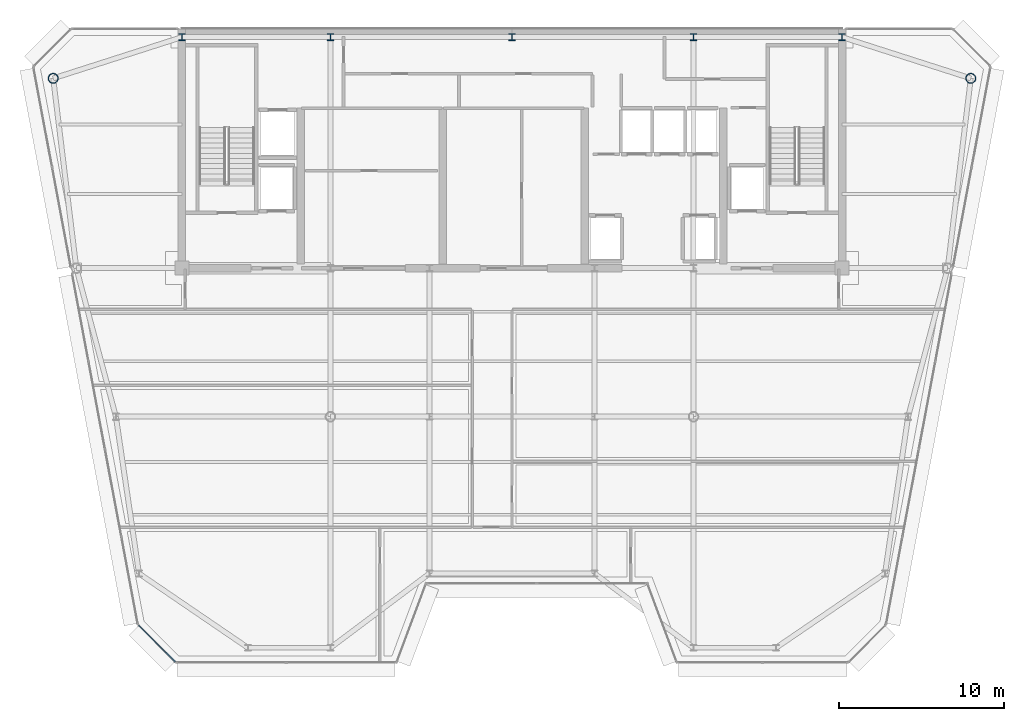
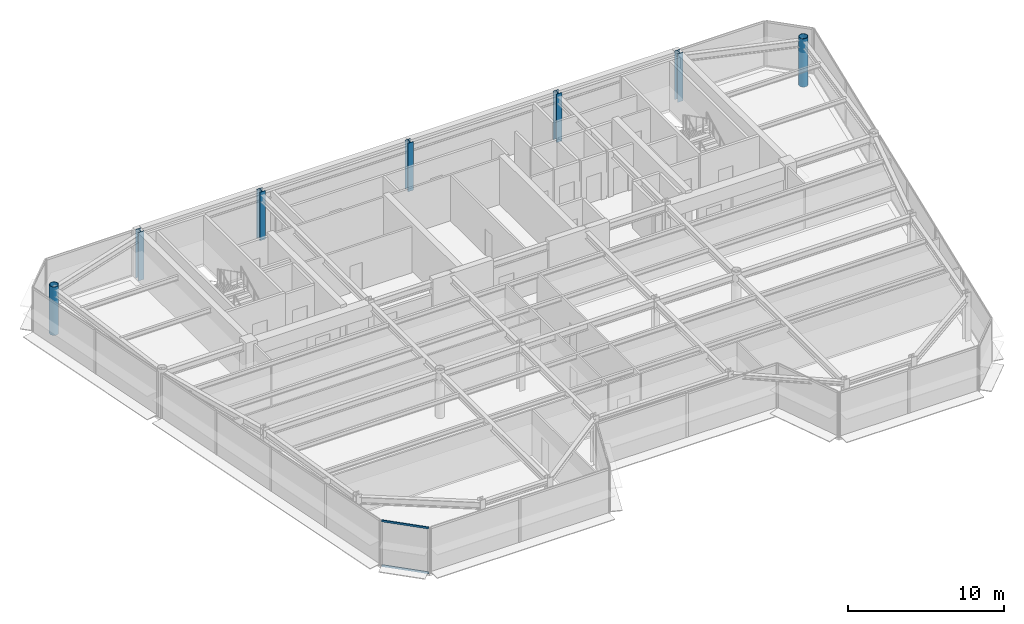
# One storey, part 2 of 19: 7 columns, 2 members, 1 element without a shape of its own.
"""IFC4 building model written with IfcOpenShell, lengths in metres."""

from ifc_helpers import new_model, si_unit, direction, frame, origin, origin_2d, place, context, subcontext, project, spatial, rectangle, hollow_circle, i_section, extrude, source, transform, mapped, material, layer, layer_set, material_profile, profile_set, type_object, element, aggregate, save


model = new_model("IFC4")

# Units and contexts
model_context = context("Model", 3, precision=1e-05, world=origin(), true_north=direction((0.0, 1.0)))
body_context = subcontext(model_context, "Body", "Model", "MODEL_VIEW")
ifc_project = project(units=[si_unit("LENGTHUNIT", "METRE"), si_unit("AREAUNIT", "SQUARE_METRE"), si_unit("VOLUMEUNIT", "CUBIC_METRE"), si_unit("PLANEANGLEUNIT", "RADIAN"), si_unit("MASSUNIT", "GRAM", prefix="KILO")], contexts=[model_context])

# Site, building, storey
site_placement = place(None, origin())
site = spatial("IfcSite", under=ifc_project, at=site_placement, CompositionType="ELEMENT")
building_placement = place(site_placement, origin())
building = spatial("IfcBuilding", under=site, at=building_placement, Name="Vaeldorn Concourse Tower", CompositionType="ELEMENT")
storey_placement = place(building_placement, frame((0.0, 0.0, 276.39990234375)))
storey = spatial("IfcBuildingStorey", under=building, at=storey_placement, Name="L71", CompositionType="ELEMENT", Elevation=276.39990234375)

# Columns
ifc_material_1 = material(Name="Steel S355", Category="steel")
ifc_material_profile_1 = material_profile(ifc_material_1, i_section(OverallWidth=0.406005859375, OverallDepth=0.416015625, WebThickness=0.02978515625, FlangeThickness=0.0419921875, FilletRadius=0.014892578125, at=origin_2d()), Name="HD 400x382")
ifc_profile_set_1 = profile_set([ifc_material_profile_1], Name="Steel S355")
column_type_1 = type_object("IfcColumnType", Name="COL-HD382", PredefinedType="COLUMN", material=ifc_profile_set_1)
shared_shape_1 = source(origin(), body_context, "Body", "SweptSolid", [
    extrude(i_section(OverallWidth=0.406005859375, OverallDepth=0.416015625, WebThickness=0.02978515625, FlangeThickness=0.0419921875, FilletRadius=0.014892578125, at=origin_2d()), origin(), (0.0, 0.0, 1.0), 3.800048828125),
])
for number, where, z_axis, x_axis, name in (
    (1, (14.0, 50.5, 0.0), (0.0, 0.0, 1.0), (1.0, 0.0, 0.0), "Column C-HC1 L71"),
    (2, (23.0, 50.5, 0.0), (0.0, 0.0, 1.0), (1.0, 0.0, 0.0), "Column C-HC2 L71"),
    (3, (34.0, 50.5, 0.0), (0.0, 0.0, 1.0), (1.0, 0.0, 0.0), "Column C-HC3 L71"),
    (4, (45.0, 50.5, 0.0), (0.0, 0.0, 1.0), (1.0, 0.0, 0.0), "Column C-HC4 L71"),
    (5, (54.0, 50.5, 0.0), (0.0, 0.0, 1.0), (1.0, 0.0, 0.0), "Column C-HC5 L71"),
):
    element("IfcColumn", number, at=place(storey_placement, frame(where, z_axis=z_axis, x_axis=x_axis)), inside=storey, type_object=column_type_1, Name=name, PredefinedType="COLUMN", context=body_context, shape_type="MappedRepresentation", body=[
        mapped(shared_shape_1, transform((0.0, 0.0, 0.0), scale=1.0)),
    ])
ifc_material_profile_2 = material_profile(ifc_material_1, hollow_circle(Radius=0.304931640625, WallThickness=0.030029296875, at=origin_2d()), Name="CHS 610x30")
ifc_profile_set_2 = profile_set([ifc_material_profile_2], Name="Steel S355")
column_type_2 = type_object("IfcColumnType", Name="COL-CHS610", PredefinedType="COLUMN", material=ifc_profile_set_2)
shared_shape_2 = source(origin(), body_context, "Body", "SweptSolid", [
    extrude(hollow_circle(Radius=0.304931640625, WallThickness=0.030029296875, at=origin_2d()), origin(), (0.0, 0.0, 1.0), 3.800048828125),
])
for number, where, z_axis, x_axis, name in (
    (6, (6.199951171875, 48.0, 0.0), (0.0, 0.0, 1.0), (1.0, 0.0, 0.0), "Column C-NW1 L71"),
    (7, (61.800048828125, 48.0, 0.0), (0.0, 0.0, 1.0), (1.0, 0.0, 0.0), "Column C-NE1 L71"),
):
    element("IfcColumn", number, at=place(storey_placement, frame(where, z_axis=z_axis, x_axis=x_axis)), inside=storey, type_object=column_type_2, Name=name, PredefinedType="COLUMN", context=body_context, shape_type="MappedRepresentation", body=[
        mapped(shared_shape_2, transform((0.0, 0.0, 0.0), scale=1.0)),
    ])

# Curtain wall, members
ifc_material_2 = material(Name="Anodised Bronze Aluminium", Category="aluminium")
ifc_layer = layer(ifc_material_2, 0.179931640625)
ifc_layer_set = layer_set([ifc_layer], Name="Anodised Bronze Aluminium")
curtain_wall_type = type_object("IfcCurtainWallType", Name="CW-SYS-05", PredefinedType="NOTDEFINED", material=ifc_layer_set)
curtain_wall_placement = place(storey_placement, origin())
curtain_wall = element("IfcCurtainWall", 8, at=curtain_wall_placement, inside=storey, type_object=curtain_wall_type, Name="Unitised Curtain Wall CW-L71-E12-1", PredefinedType="NOTDEFINED")
ifc_material_profile_3 = material_profile(ifc_material_2, rectangle(XDim=0.06494140625, YDim=0.14990234375, at=origin_2d()), Name="CWT 65x150")
ifc_profile_set_3 = profile_set([ifc_material_profile_3], Name="Anodised Bronze Aluminium")
member_type = type_object("IfcMemberType", Name="CWT-BRONZE-150", PredefinedType="USERDEFINED", material=ifc_profile_set_3)
shared_shape_3 = source(origin(), body_context, "Body", "SweptSolid", [
    extrude(rectangle(XDim=0.06494140625, YDim=0.14990234375, at=origin_2d()), origin(), (0.0, 0.0, 1.0), 3.12255859375),
])
member_1_placement = place(storey_placement, frame((11.382080078125, 14.85400390625, 0.03271484375), z_axis=(0.707106781187, -0.707106781187, 0.0), x_axis=(0.707106781187, 0.707106781187, 0.0)))
member_1 = element("IfcMember", 9, at=member_1_placement, type_object=member_type, Name="CW-05 transom 1.1", ObjectType="TRANSOM", PredefinedType="USERDEFINED", context=body_context, shape_type="MappedRepresentation", body=[
    mapped(shared_shape_3, transform((0.0, 0.0, 0.0), scale=1.0)),
])
member_2_placement = place(storey_placement, frame((11.382080078125, 14.85400390625, 3.547607421875), z_axis=(0.707106781187, -0.707106781187, 0.0), x_axis=(0.707106781187, 0.707106781187, 0.0)))
member_2 = element("IfcMember", 10, at=member_2_placement, type_object=member_type, Name="CW-05 transom 1.2", ObjectType="TRANSOM", PredefinedType="USERDEFINED", context=body_context, shape_type="MappedRepresentation", body=[
    mapped(shared_shape_3, transform((0.0, 0.0, 0.0), scale=1.0)),
])
aggregate(curtain_wall, [member_1, member_2])

save(model, "model.ifc")
